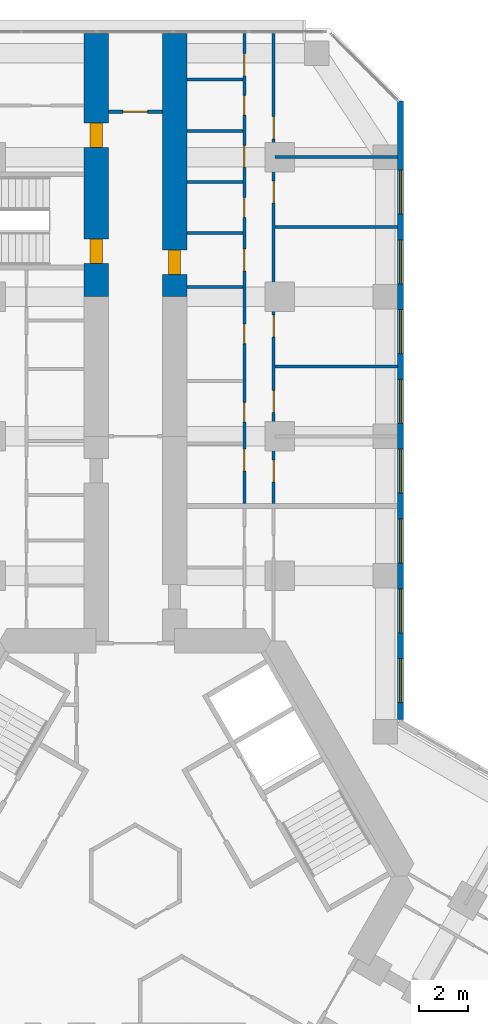
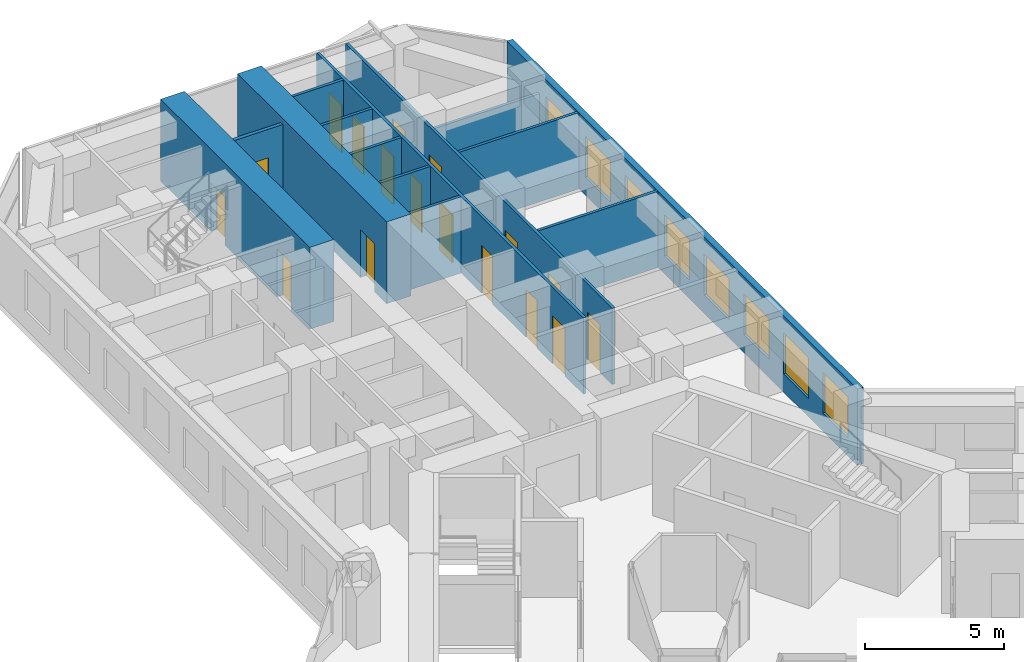
# One storey, part 19 of 21: 17 doors, 14 walls, 8 windows, 25 openings.
"""IFC4 building model written with IfcOpenShell, lengths in metres."""

from ifc_helpers import new_model, si_unit, direction, frame, frame_2d, origin, place, context, subcontext, project, spatial, rectangle, extrude, material, layer, layer_set, type_object, element, fill, save


model = new_model("IFC4")

# Units and contexts
model_context = context("Model", 3, precision=1e-05, world=origin(), true_north=direction((0.0, 1.0)))
body_context = subcontext(model_context, "Body", "Model", "MODEL_VIEW")
ifc_project = project(units=[si_unit("LENGTHUNIT", "METRE"), si_unit("AREAUNIT", "SQUARE_METRE"), si_unit("VOLUMEUNIT", "CUBIC_METRE"), si_unit("PLANEANGLEUNIT", "RADIAN"), si_unit("MASSUNIT", "GRAM", prefix="KILO")], contexts=[model_context])

# Site, building, storey
site_placement = place(None, origin())
site = spatial("IfcSite", under=ifc_project, at=site_placement, CompositionType="ELEMENT")
building_placement = place(site_placement, origin())
building = spatial("IfcBuilding", under=site, at=building_placement, Name="Kosmar Iwan School Tower", CompositionType="ELEMENT")
storey_placement = place(building_placement, frame((0.0, 0.0, 57.39990234375)))
storey = spatial("IfcBuildingStorey", under=building, at=storey_placement, Name="L13", CompositionType="ELEMENT", Elevation=57.39990234375)

# Wall, openings, doors
ifc_material_1 = material(Name="Concrete C50/60", Category="concrete")
ifc_layer_1 = layer(ifc_material_1, 1.0)
ifc_layer_set_1 = layer_set([ifc_layer_1], Name="Corridor buttress wall 1000")
wall_type_1 = type_object("IfcWallType", Name="Corridor buttress wall 1000", PredefinedType="SHEAR", material=ifc_layer_set_1)
wall_1_placement = place(storey_placement, frame((-1.60009765625, 23.64990234375, 0.0), z_axis=(0.0, 0.0, 1.0), x_axis=(0.0, 1.0, 0.0)))
wall_1 = element("IfcWall", 1, at=wall_1_placement, inside=storey, type_object=wall_type_1, Name="Corridor wall AL bay 3", PredefinedType="SHEAR", context=body_context, shape_type="SweptSolid", body=[
    extrude(rectangle(XDim=10.7451171875, YDim=1.0, at=frame_2d((5.37255859375, 0.0))), origin(), (0.0, 0.0, 1.0), 3.60009765625),
])
opening_1_placement = place(wall_1_placement, frame((6.10009765625, 0.0, 0.0)))
opening_1 = element("IfcOpeningElement", 2, at=opening_1_placement, cuts=wall_1, Name="Opening D1", PredefinedType="OPENING", context=body_context, shape_type="SweptSolid", body=[
    extrude(rectangle(XDim=1.0, YDim=2.10009765625, at=frame_2d((0.5, 1.050048828125))), frame((0.0, 0.511962890625, 0.0), z_axis=(0.0, -1.0, 0.0), x_axis=(1.0, 0.0, 0.0)), (0.0, 0.0, 1.0), 1.02392578125),
])
opening_2_placement = place(wall_1_placement, frame((1.35009765625, 0.0, 0.0)))
opening_2 = element("IfcOpeningElement", 3, at=opening_2_placement, cuts=wall_1, Name="Opening D6", PredefinedType="OPENING", context=body_context, shape_type="SweptSolid", body=[
    extrude(rectangle(XDim=1.0, YDim=2.10009765625, at=frame_2d((0.5, 1.050048828125))), frame((0.0, 0.511962890625, 0.0), z_axis=(0.0, -1.0, 0.0), x_axis=(1.0, 0.0, 0.0)), (0.0, 0.0, 1.0), 1.02392578125),
])
ifc_material_2 = material(Name="Timber fire door in steel frame", Category="steel")
door_type_1 = type_object("IfcDoorType", Name="Flat entrance door 1000x2100", OperationType="SINGLE_SWING_LEFT", PredefinedType="DOOR", material=ifc_material_2)
door_1_placement = place(opening_1_placement, origin())
door_1 = element("IfcDoor", 4, at=door_1_placement, inside=storey, type_object=door_type_1, Name="Flat L13-AL2 entrance door", OperationType="SINGLE_SWING_RIGHT", OverallHeight=2.10009765625, OverallWidth=1.0, PredefinedType="DOOR", context=body_context, shape_type="SweptSolid", body=[
    extrude(rectangle(XDim=1.0, YDim=2.10009765625, at=frame_2d((0.5, 1.050048828125))), frame((0.0, 0.25, 0.0), z_axis=(0.0, -1.0, 0.0), x_axis=(1.0, 0.0, 0.0)), (0.0, 0.0, 1.0), 0.5),
])
fill(opening_1, door_1)
ifc_material_3 = material(Name="Steel fire door", Category="steel")
door_type_2 = type_object("IfcDoorType", Name="Stair door 1000x2100", OperationType="SINGLE_SWING_LEFT", PredefinedType="DOOR", material=ifc_material_3)
door_2_placement = place(opening_2_placement, origin())
door_2 = element("IfcDoor", 5, at=door_2_placement, inside=storey, type_object=door_type_2, Name="Stair WS1 door L13", OperationType="SINGLE_SWING_LEFT", OverallHeight=2.10009765625, OverallWidth=1.0, PredefinedType="DOOR", context=body_context, shape_type="SweptSolid", body=[
    extrude(rectangle(XDim=1.0, YDim=2.10009765625, at=frame_2d((0.5, 1.050048828125))), frame((0.0, 0.25, 0.0), z_axis=(0.0, -1.0, 0.0), x_axis=(1.0, 0.0, 0.0)), (0.0, 0.0, 1.0), 0.5),
])
fill(opening_2, door_2)

# Wall, opening, door
wall_2_placement = place(storey_placement, frame((1.60009765625, 23.64990234375, 0.0), z_axis=(0.0, 0.0, 1.0), x_axis=(0.0, 1.0, 0.0)))
wall_2 = element("IfcWall", 6, at=wall_2_placement, inside=storey, type_object=wall_type_1, Name="Corridor wall AR bay 3", PredefinedType="SHEAR", context=body_context, shape_type="SweptSolid", body=[
    extrude(rectangle(XDim=10.7451171875, YDim=1.0, at=frame_2d((5.37255859375, 0.0))), origin(), (0.0, 0.0, 1.0), 3.60009765625),
])
opening_3_placement = place(wall_2_placement, frame((0.89990234375, 0.0, 0.0)))
opening_3 = element("IfcOpeningElement", 7, at=opening_3_placement, cuts=wall_2, Name="Opening D1", PredefinedType="OPENING", context=body_context, shape_type="SweptSolid", body=[
    extrude(rectangle(XDim=1.0, YDim=2.10009765625, at=frame_2d((0.5, 1.050048828125))), frame((0.0, 0.511962890625, 0.0), z_axis=(0.0, -1.0, 0.0), x_axis=(1.0, 0.0, 0.0)), (0.0, 0.0, 1.0), 1.02392578125),
])
door_3_placement = place(opening_3_placement, origin())
door_3 = element("IfcDoor", 8, at=door_3_placement, inside=storey, type_object=door_type_1, Name="Flat L13-AR2 entrance door", OperationType="SINGLE_SWING_LEFT", OverallHeight=2.10009765625, OverallWidth=1.0, PredefinedType="DOOR", context=body_context, shape_type="SweptSolid", body=[
    extrude(rectangle(XDim=1.0, YDim=2.10009765625, at=frame_2d((0.5, 1.050048828125))), frame((0.0, 0.25, 0.0), z_axis=(0.0, -1.0, 0.0), x_axis=(1.0, 0.0, 0.0)), (0.0, 0.0, 1.0), 0.5),
])
fill(opening_3, door_3)

ifc_material_4 = material(Name="Gypsum board on steel studs, fire-rated", Category="steel")
ifc_layer_2 = layer(ifc_material_4, 0.14990234375)
ifc_layer_set_2 = layer_set([ifc_layer_2], Name="Corridor end wall 150")
wall_type_2 = type_object("IfcWallType", Name="Corridor end wall 150", PredefinedType="PARTITIONING", material=ifc_layer_set_2)
wall_3_placement = place(storey_placement, frame((1.10009765625, 31.199951171875, 0.0), z_axis=(0.0, 0.0, 1.0), x_axis=(-1.0, 0.0, 0.0)))
wall_3 = element("IfcWall", 9, at=wall_3_placement, inside=storey, type_object=wall_type_2, Name="Partition L13-A-CE", PredefinedType="PARTITIONING", context=body_context, shape_type="SweptSolid", body=[
    extrude(rectangle(XDim=2.2001953125, YDim=0.14990234375, at=frame_2d((1.10009765625, 0.0))), origin(), (0.0, 0.0, 1.0), 3.35009765625),
])
opening_4_placement = place(wall_3_placement, frame((0.60009765625, 0.0, 0.0)))
opening_4 = element("IfcOpeningElement", 10, at=opening_4_placement, cuts=wall_3, Name="Opening D13", PredefinedType="OPENING", context=body_context, shape_type="SweptSolid", body=[
    extrude(rectangle(XDim=1.0, YDim=2.10009765625, at=frame_2d((0.5, 1.050048828125))), frame((0.0, 0.0869140625, 0.0), z_axis=(0.0, -1.0, 0.0), x_axis=(1.0, 0.0, 0.0)), (0.0, 0.0, 1.0), 0.173828125),
])
ifc_material_5 = material(Name="Timber fire door with vision panel", Category="wood")
door_type_3 = type_object("IfcDoorType", Name="Corridor end door 1000x2100", OperationType="SINGLE_SWING_LEFT", PredefinedType="DOOR", material=ifc_material_5)
door_4_placement = place(opening_4_placement, origin())
door_4 = element("IfcDoor", 11, at=door_4_placement, inside=storey, type_object=door_type_3, Name="Family study room door L13-A", OperationType="SINGLE_SWING_RIGHT", OverallHeight=2.10009765625, OverallWidth=1.0, PredefinedType="DOOR", context=body_context, shape_type="SweptSolid", body=[
    extrude(rectangle(XDim=1.0, YDim=2.10009765625, at=frame_2d((0.5, 1.050048828125))), frame((0.0, 0.02490234375, 0.0), z_axis=(0.0, -1.0, 0.0), x_axis=(1.0, 0.0, 0.0)), (0.0, 0.0, 1.0), 0.050048828125),
])
fill(opening_4, door_4)

# Wall, openings, doors
ifc_material_6 = material(Name="Gypsum board on steel studs", Category="steel")
ifc_layer_3 = layer(ifc_material_6, 0.1201171875)
ifc_layer_set_3 = layer_set([ifc_layer_3], Name="Dwelling partition 120")
wall_type_3 = type_object("IfcWallType", Name="Dwelling partition 120", PredefinedType="PARTITIONING", material=ifc_layer_set_3)
wall_4_placement = place(storey_placement, frame((4.449951171875, 15.199951171875, 0.0), z_axis=(0.0, 0.0, 1.0), x_axis=(0.0, 1.0, 0.0)))
wall_4 = element("IfcWall", 12, at=wall_4_placement, inside=storey, type_object=wall_type_3, Name="Partition L13-AR2-W1", PredefinedType="PARTITIONING", context=body_context, shape_type="SweptSolid", body=[
    extrude(rectangle(XDim=19.195068359375, YDim=0.1201171875, at=frame_2d((9.59765625, 0.0))), origin(), (0.0, 0.0, 1.0), 3.35009765625),
])
opening_5_placement = place(wall_4_placement, frame((1.32861328125, 0.0, 0.0)))
opening_5 = element("IfcOpeningElement", 13, at=opening_5_placement, cuts=wall_4, Name="Opening D2", PredefinedType="OPENING", context=body_context, shape_type="SweptSolid", body=[
    extrude(rectangle(XDim=0.89990234375, YDim=2.10009765625, at=frame_2d((0.449951171875, 1.050048828125))), frame((0.0, 0.072021484375, 0.0), z_axis=(0.0, -1.0, 0.0), x_axis=(1.0, 0.0, 0.0)), (0.0, 0.0, 1.0), 0.14404296875),
])
opening_6_placement = place(wall_4_placement, frame((3.335693359375, 0.0, 0.0)))
opening_6 = element("IfcOpeningElement", 14, at=opening_6_placement, cuts=wall_4, Name="Opening D3", PredefinedType="OPENING", context=body_context, shape_type="SweptSolid", body=[
    extrude(rectangle(XDim=0.800048828125, YDim=2.10009765625, at=frame_2d((0.39990234375, 1.050048828125))), frame((0.0, 0.072021484375, 0.0), z_axis=(0.0, -1.0, 0.0), x_axis=(1.0, 0.0, 0.0)), (0.0, 0.0, 1.0), 0.14404296875),
])
opening_7_placement = place(wall_4_placement, frame((6.5322265625, 0.0, 0.0)))
opening_7 = element("IfcOpeningElement", 15, at=opening_7_placement, cuts=wall_4, Name="Opening D3", PredefinedType="OPENING", context=body_context, shape_type="SweptSolid", body=[
    extrude(rectangle(XDim=0.800048828125, YDim=2.10009765625, at=frame_2d((0.39990234375, 1.050048828125))), frame((0.0, 0.072021484375, 0.0), z_axis=(0.0, -1.0, 0.0), x_axis=(1.0, 0.0, 0.0)), (0.0, 0.0, 1.0), 0.14404296875),
])
opening_8_placement = place(wall_4_placement, frame((9.5, 0.0, 0.0)))
opening_8 = element("IfcOpeningElement", 16, at=opening_8_placement, cuts=wall_4, Name="Opening D2", PredefinedType="OPENING", context=body_context, shape_type="SweptSolid", body=[
    extrude(rectangle(XDim=0.89990234375, YDim=2.10009765625, at=frame_2d((0.449951171875, 1.050048828125))), frame((0.0, 0.072021484375, 0.0), z_axis=(0.0, -1.0, 0.0), x_axis=(1.0, 0.0, 0.0)), (0.0, 0.0, 1.0), 0.14404296875),
])
opening_9_placement = place(wall_4_placement, frame((11.69384765625, 0.0, 0.0)))
opening_9 = element("IfcOpeningElement", 17, at=opening_9_placement, cuts=wall_4, Name="Opening D3", PredefinedType="OPENING", context=body_context, shape_type="SweptSolid", body=[
    extrude(rectangle(XDim=0.800048828125, YDim=2.10009765625, at=frame_2d((0.39990234375, 1.050048828125))), frame((0.0, 0.072021484375, 0.0), z_axis=(0.0, -1.0, 0.0), x_axis=(1.0, 0.0, 0.0)), (0.0, 0.0, 1.0), 0.14404296875),
])
opening_10_placement = place(wall_4_placement, frame((13.731201171875, 0.0, 0.0)))
opening_10 = element("IfcOpeningElement", 18, at=opening_10_placement, cuts=wall_4, Name="Opening D2", PredefinedType="OPENING", context=body_context, shape_type="SweptSolid", body=[
    extrude(rectangle(XDim=0.89990234375, YDim=2.10009765625, at=frame_2d((0.449951171875, 1.050048828125))), frame((0.0, 0.072021484375, 0.0), z_axis=(0.0, -1.0, 0.0), x_axis=(1.0, 0.0, 0.0)), (0.0, 0.0, 1.0), 0.14404296875),
])
opening_11_placement = place(wall_4_placement, frame((15.86865234375, 0.0, 0.0)))
opening_11 = element("IfcOpeningElement", 19, at=opening_11_placement, cuts=wall_4, Name="Opening D3", PredefinedType="OPENING", context=body_context, shape_type="SweptSolid", body=[
    extrude(rectangle(XDim=0.800048828125, YDim=2.10009765625, at=frame_2d((0.39990234375, 1.050048828125))), frame((0.0, 0.072021484375, 0.0), z_axis=(0.0, -1.0, 0.0), x_axis=(1.0, 0.0, 0.0)), (0.0, 0.0, 1.0), 0.14404296875),
])
opening_12_placement = place(wall_4_placement, frame((17.472412109375, 0.0, 0.0)))
opening_12 = element("IfcOpeningElement", 20, at=opening_12_placement, cuts=wall_4, Name="Opening D2", PredefinedType="OPENING", context=body_context, shape_type="SweptSolid", body=[
    extrude(rectangle(XDim=0.89990234375, YDim=2.10009765625, at=frame_2d((0.449951171875, 1.050048828125))), frame((0.0, 0.072021484375, 0.0), z_axis=(0.0, -1.0, 0.0), x_axis=(1.0, 0.0, 0.0)), (0.0, 0.0, 1.0), 0.14404296875),
])
ifc_material_7 = material(Name="Timber door in timber frame", Category="wood")
door_type_4 = type_object("IfcDoorType", Name="Internal door 900x2100", OperationType="SINGLE_SWING_LEFT", PredefinedType="DOOR", material=ifc_material_7)
door_5_placement = place(opening_5_placement, origin())
door_5 = element("IfcDoor", 21, at=door_5_placement, inside=storey, type_object=door_type_4, Name="Utility room door L13-AR2-S1", OperationType="SINGLE_SWING_RIGHT", OverallHeight=2.10009765625, OverallWidth=0.89990234375, PredefinedType="DOOR", context=body_context, shape_type="SweptSolid", body=[
    extrude(rectangle(XDim=0.89990234375, YDim=2.10009765625, at=frame_2d((0.449951171875, 1.050048828125))), frame((0.0, 0.02490234375, 0.0), z_axis=(0.0, -1.0, 0.0), x_axis=(1.0, 0.0, 0.0)), (0.0, 0.0, 1.0), 0.050048828125),
])
fill(opening_5, door_5)
door_6_placement = place(opening_8_placement, origin())
door_6 = element("IfcDoor", 22, at=door_6_placement, inside=storey, type_object=door_type_4, Name="Entrance hall door L13-AR2-S4", OperationType="SINGLE_SWING_LEFT", OverallHeight=2.10009765625, OverallWidth=0.89990234375, PredefinedType="DOOR", context=body_context, shape_type="SweptSolid", body=[
    extrude(rectangle(XDim=0.89990234375, YDim=2.10009765625, at=frame_2d((0.449951171875, 1.050048828125))), frame((0.0, 0.02490234375, 0.0), z_axis=(0.0, -1.0, 0.0), x_axis=(1.0, 0.0, 0.0)), (0.0, 0.0, 1.0), 0.050048828125),
])
fill(opening_8, door_6)
door_7_placement = place(opening_10_placement, origin())
door_7 = element("IfcDoor", 23, at=door_7_placement, inside=storey, type_object=door_type_4, Name="Pantry door L13-AR2-S6", OperationType="SINGLE_SWING_LEFT", OverallHeight=2.10009765625, OverallWidth=0.89990234375, PredefinedType="DOOR", context=body_context, shape_type="SweptSolid", body=[
    extrude(rectangle(XDim=0.89990234375, YDim=2.10009765625, at=frame_2d((0.449951171875, 1.050048828125))), frame((0.0, 0.02490234375, 0.0), z_axis=(0.0, -1.0, 0.0), x_axis=(1.0, 0.0, 0.0)), (0.0, 0.0, 1.0), 0.050048828125),
])
fill(opening_10, door_7)
door_8_placement = place(opening_12_placement, origin())
door_8 = element("IfcDoor", 24, at=door_8_placement, inside=storey, type_object=door_type_4, Name="Dressing room door L13-AR2-S8", OperationType="SINGLE_SWING_LEFT", OverallHeight=2.10009765625, OverallWidth=0.89990234375, PredefinedType="DOOR", context=body_context, shape_type="SweptSolid", body=[
    extrude(rectangle(XDim=0.89990234375, YDim=2.10009765625, at=frame_2d((0.449951171875, 1.050048828125))), frame((0.0, 0.02490234375, 0.0), z_axis=(0.0, -1.0, 0.0), x_axis=(1.0, 0.0, 0.0)), (0.0, 0.0, 1.0), 0.050048828125),
])
fill(opening_12, door_8)
ifc_material_8 = material(Name="Timber door in timber frame", Category="wood")
door_type_5 = type_object("IfcDoorType", Name="Sanitary room door 800x2100", OperationType="SINGLE_SWING_LEFT", PredefinedType="DOOR", material=ifc_material_8)
door_9_placement = place(opening_6_placement, origin())
door_9 = element("IfcDoor", 25, at=door_9_placement, inside=storey, type_object=door_type_5, Name="WC door L13-AR2-S2", OperationType="SINGLE_SWING_LEFT", OverallHeight=2.10009765625, OverallWidth=0.800048828125, PredefinedType="DOOR", context=body_context, shape_type="SweptSolid", body=[
    extrude(rectangle(XDim=0.800048828125, YDim=2.10009765625, at=frame_2d((0.39990234375, 1.050048828125))), frame((0.0, 0.02490234375, 0.0), z_axis=(0.0, -1.0, 0.0), x_axis=(1.0, 0.0, 0.0)), (0.0, 0.0, 1.0), 0.050048828125),
])
fill(opening_6, door_9)
door_10_placement = place(opening_7_placement, origin())
door_10 = element("IfcDoor", 26, at=door_10_placement, inside=storey, type_object=door_type_5, Name="Bathroom door L13-AR2-S3", OperationType="SINGLE_SWING_RIGHT", OverallHeight=2.10009765625, OverallWidth=0.800048828125, PredefinedType="DOOR", context=body_context, shape_type="SweptSolid", body=[
    extrude(rectangle(XDim=0.800048828125, YDim=2.10009765625, at=frame_2d((0.39990234375, 1.050048828125))), frame((0.0, 0.02490234375, 0.0), z_axis=(0.0, -1.0, 0.0), x_axis=(1.0, 0.0, 0.0)), (0.0, 0.0, 1.0), 0.050048828125),
])
fill(opening_7, door_10)
door_11_placement = place(opening_9_placement, origin())
door_11 = element("IfcDoor", 27, at=door_11_placement, inside=storey, type_object=door_type_5, Name="Shower room door L13-AR2-S5", OperationType="SINGLE_SWING_RIGHT", OverallHeight=2.10009765625, OverallWidth=0.800048828125, PredefinedType="DOOR", context=body_context, shape_type="SweptSolid", body=[
    extrude(rectangle(XDim=0.800048828125, YDim=2.10009765625, at=frame_2d((0.39990234375, 1.050048828125))), frame((0.0, 0.02490234375, 0.0), z_axis=(0.0, -1.0, 0.0), x_axis=(1.0, 0.0, 0.0)), (0.0, 0.0, 1.0), 0.050048828125),
])
fill(opening_9, door_11)
door_12_placement = place(opening_11_placement, origin())
door_12 = element("IfcDoor", 28, at=door_12_placement, inside=storey, type_object=door_type_5, Name="Store door L13-AR2-S7", OperationType="SINGLE_SWING_RIGHT", OverallHeight=2.10009765625, OverallWidth=0.800048828125, PredefinedType="DOOR", context=body_context, shape_type="SweptSolid", body=[
    extrude(rectangle(XDim=0.800048828125, YDim=2.10009765625, at=frame_2d((0.39990234375, 1.050048828125))), frame((0.0, 0.02490234375, 0.0), z_axis=(0.0, -1.0, 0.0), x_axis=(1.0, 0.0, 0.0)), (0.0, 0.0, 1.0), 0.050048828125),
])
fill(opening_11, door_12)

wall_5_placement = place(storey_placement, frame((5.64990234375, 15.199951171875, 0.0), z_axis=(0.0, 0.0, 1.0), x_axis=(0.0, 1.0, 0.0)))
wall_5 = element("IfcWall", 29, at=wall_5_placement, inside=storey, type_object=wall_type_3, Name="Partition L13-AR2-W2", PredefinedType="PARTITIONING", context=body_context, shape_type="SweptSolid", body=[
    extrude(rectangle(XDim=19.195068359375, YDim=0.1201171875, at=frame_2d((9.59765625, 0.0))), origin(), (0.0, 0.0, 1.0), 3.35009765625),
])
opening_13_placement = place(wall_5_placement, frame((0.875, 0.0, 0.0)))
opening_13 = element("IfcOpeningElement", 30, at=opening_13_placement, cuts=wall_5, Name="Opening D2", PredefinedType="OPENING", context=body_context, shape_type="SweptSolid", body=[
    extrude(rectangle(XDim=0.89990234375, YDim=2.10009765625, at=frame_2d((0.449951171875, 1.050048828125))), frame((0.0, 0.072021484375, 0.0), z_axis=(0.0, -1.0, 0.0), x_axis=(1.0, 0.0, 0.0)), (0.0, 0.0, 1.0), 0.14404296875),
])
opening_14_placement = place(wall_5_placement, frame((3.72509765625, 0.0, 0.0)))
opening_14 = element("IfcOpeningElement", 31, at=opening_14_placement, cuts=wall_5, Name="Opening D2", PredefinedType="OPENING", context=body_context, shape_type="SweptSolid", body=[
    extrude(rectangle(XDim=0.89990234375, YDim=2.10009765625, at=frame_2d((0.449951171875, 1.050048828125))), frame((0.0, 0.072021484375, 0.0), z_axis=(0.0, -1.0, 0.0), x_axis=(1.0, 0.0, 0.0)), (0.0, 0.0, 1.0), 0.14404296875),
])
opening_15_placement = place(wall_5_placement, frame((6.800048828125, 0.0, 0.0)))
opening_15 = element("IfcOpeningElement", 32, at=opening_15_placement, cuts=wall_5, Name="Opening D2", PredefinedType="OPENING", context=body_context, shape_type="SweptSolid", body=[
    extrude(rectangle(XDim=0.89990234375, YDim=2.10009765625, at=frame_2d((0.449951171875, 1.050048828125))), frame((0.0, 0.072021484375, 0.0), z_axis=(0.0, -1.0, 0.0), x_axis=(1.0, 0.0, 0.0)), (0.0, 0.0, 1.0), 0.14404296875),
])
opening_16_placement = place(wall_5_placement, frame((12.27490234375, 0.0, 0.0)))
opening_16 = element("IfcOpeningElement", 33, at=opening_16_placement, cuts=wall_5, Name="Opening D2", PredefinedType="OPENING", context=body_context, shape_type="SweptSolid", body=[
    extrude(rectangle(XDim=0.89990234375, YDim=2.10009765625, at=frame_2d((0.449951171875, 1.050048828125))), frame((0.0, 0.072021484375, 0.0), z_axis=(0.0, -1.0, 0.0), x_axis=(1.0, 0.0, 0.0)), (0.0, 0.0, 1.0), 0.14404296875),
])
opening_17_placement = place(wall_5_placement, frame((14.89990234375, 0.0, 0.0)))
opening_17 = element("IfcOpeningElement", 34, at=opening_17_placement, cuts=wall_5, Name="Opening D2", PredefinedType="OPENING", context=body_context, shape_type="SweptSolid", body=[
    extrude(rectangle(XDim=0.89990234375, YDim=2.10009765625, at=frame_2d((0.449951171875, 1.050048828125))), frame((0.0, 0.072021484375, 0.0), z_axis=(0.0, -1.0, 0.0), x_axis=(1.0, 0.0, 0.0)), (0.0, 0.0, 1.0), 0.14404296875),
])
door_13_placement = place(opening_13_placement, origin())
door_13 = element("IfcDoor", 35, at=door_13_placement, inside=storey, type_object=door_type_4, Name="Bedroom 1 door L13-AR2-F1", OperationType="SINGLE_SWING_LEFT", OverallHeight=2.10009765625, OverallWidth=0.89990234375, PredefinedType="DOOR", context=body_context, shape_type="SweptSolid", body=[
    extrude(rectangle(XDim=0.89990234375, YDim=2.10009765625, at=frame_2d((0.449951171875, 1.050048828125))), frame((0.0, 0.02490234375, 0.0), z_axis=(0.0, -1.0, 0.0), x_axis=(1.0, 0.0, 0.0)), (0.0, 0.0, 1.0), 0.050048828125),
])
fill(opening_13, door_13)
door_14_placement = place(opening_14_placement, origin())
door_14 = element("IfcDoor", 36, at=door_14_placement, inside=storey, type_object=door_type_4, Name="Bedroom 2 door L13-AR2-F2", OperationType="SINGLE_SWING_LEFT", OverallHeight=2.10009765625, OverallWidth=0.89990234375, PredefinedType="DOOR", context=body_context, shape_type="SweptSolid", body=[
    extrude(rectangle(XDim=0.89990234375, YDim=2.10009765625, at=frame_2d((0.449951171875, 1.050048828125))), frame((0.0, 0.02490234375, 0.0), z_axis=(0.0, -1.0, 0.0), x_axis=(1.0, 0.0, 0.0)), (0.0, 0.0, 1.0), 0.050048828125),
])
fill(opening_14, door_14)
door_15_placement = place(opening_15_placement, origin())
door_15 = element("IfcDoor", 37, at=door_15_placement, inside=storey, type_object=door_type_4, Name="Living room and kitchen door L13-AR2-F3", OperationType="SINGLE_SWING_LEFT", OverallHeight=2.10009765625, OverallWidth=0.89990234375, PredefinedType="DOOR", context=body_context, shape_type="SweptSolid", body=[
    extrude(rectangle(XDim=0.89990234375, YDim=2.10009765625, at=frame_2d((0.449951171875, 1.050048828125))), frame((0.0, 0.02490234375, 0.0), z_axis=(0.0, -1.0, 0.0), x_axis=(1.0, 0.0, 0.0)), (0.0, 0.0, 1.0), 0.050048828125),
])
fill(opening_15, door_15)
door_16_placement = place(opening_16_placement, origin())
door_16 = element("IfcDoor", 38, at=door_16_placement, inside=storey, type_object=door_type_4, Name="Study door L13-AR2-F4", OperationType="SINGLE_SWING_RIGHT", OverallHeight=2.10009765625, OverallWidth=0.89990234375, PredefinedType="DOOR", context=body_context, shape_type="SweptSolid", body=[
    extrude(rectangle(XDim=0.89990234375, YDim=2.10009765625, at=frame_2d((0.449951171875, 1.050048828125))), frame((0.0, 0.02490234375, 0.0), z_axis=(0.0, -1.0, 0.0), x_axis=(1.0, 0.0, 0.0)), (0.0, 0.0, 1.0), 0.050048828125),
])
fill(opening_16, door_16)
door_17_placement = place(opening_17_placement, origin())
door_17 = element("IfcDoor", 39, at=door_17_placement, inside=storey, type_object=door_type_4, Name="Bedroom 3 door L13-AR2-F5", OperationType="SINGLE_SWING_RIGHT", OverallHeight=2.10009765625, OverallWidth=0.89990234375, PredefinedType="DOOR", context=body_context, shape_type="SweptSolid", body=[
    extrude(rectangle(XDim=0.89990234375, YDim=2.10009765625, at=frame_2d((0.449951171875, 1.050048828125))), frame((0.0, 0.02490234375, 0.0), z_axis=(0.0, -1.0, 0.0), x_axis=(1.0, 0.0, 0.0)), (0.0, 0.0, 1.0), 0.050048828125),
])
fill(opening_17, door_17)

# Walls
for number, where, z_axis, x_axis, name in (
    (40, (5.7099609375, 20.800048828125, 0.0), (0.0, 0.0, 1.0), (1.0, 0.0, 0.0), "Partition L13-AR2-X2"),
    (41, (5.7099609375, 26.5, 0.0), (0.0, 0.0, 1.0), (1.0, 0.0, 0.0), "Partition L13-AR2-X3"),
):
    element("IfcWall", number, at=place(storey_placement, frame(where, z_axis=z_axis, x_axis=x_axis)), inside=storey, type_object=wall_type_3, Name=name, PredefinedType="PARTITIONING", context=body_context, shape_type="SweptSolid", body=[
        extrude(rectangle(XDim=4.989990234375, YDim=0.1201171875, at=frame_2d((2.4951171875, 0.0))), origin(), (0.0, 0.0, 1.0), 3.35009765625),
    ])
wall_6_placement = place(storey_placement, frame((5.7099609375, 29.35009765625, 0.0), z_axis=(0.0, 0.0, 1.0), x_axis=(1.0, 0.0, 0.0)))
element("IfcWall", 42, at=wall_6_placement, inside=storey, type_object=wall_type_3, Name="Partition L13-AR2-X4", PredefinedType="PARTITIONING", context=body_context, shape_type="SweptSolid", body=[
    extrude(rectangle(XDim=4.989990234375, YDim=0.1201171875, at=frame_2d((2.4951171875, 0.0))), origin(), (0.0, 0.0, 1.0), 2.4501953125),
])
for number, where, z_axis, x_axis, name in (
    (43, (2.10009765625, 24.050048828125, 0.0), (0.0, 0.0, 1.0), (1.0, 0.0, 0.0), "Partition L13-AR2-Y3"),
    (44, (2.10009765625, 26.25, 0.0), (0.0, 0.0, 1.0), (1.0, 0.0, 0.0), "Partition L13-AR2-Y4"),
    (45, (2.10009765625, 28.33740234375, 0.0), (0.0, 0.0, 1.0), (1.0, 0.0, 0.0), "Partition L13-AR2-Y5"),
    (46, (2.10009765625, 30.425048828125, 0.0), (0.0, 0.0, 1.0), (1.0, 0.0, 0.0), "Partition L13-AR2-Y6"),
    (47, (2.10009765625, 32.512451171875, 0.0), (0.0, 0.0, 1.0), (1.0, 0.0, 0.0), "Partition L13-AR2-Y7"),
):
    element("IfcWall", number, at=place(storey_placement, frame(where, z_axis=z_axis, x_axis=x_axis)), inside=storey, type_object=wall_type_3, Name=name, PredefinedType="PARTITIONING", context=body_context, shape_type="SweptSolid", body=[
        extrude(rectangle(XDim=2.289794921875, YDim=0.1201171875, at=frame_2d((1.14501953125, 0.0))), origin(), (0.0, 0.0, 1.0), 3.35009765625),
    ])

# Wall, openings, windows
ifc_material_9 = material(Name="Black aluminium rainscreen on insulated framing", Category="aluminium")
ifc_layer_4 = layer(ifc_material_9, 0.25)
ifc_layer_set_4 = layer_set([ifc_layer_4], Name="External wall rainscreen 250")
wall_type_4 = type_object("IfcWallType", Name="External wall rainscreen 250", PredefinedType="SOLIDWALL", material=ifc_layer_set_4)
wall_7_placement = place(storey_placement, frame((10.824951171875, 6.39404296875, 0.0), z_axis=(0.0, 0.0, 1.0), x_axis=(0.0, 1.0, 0.0)))
wall_7 = element("IfcWall", 48, at=wall_7_placement, inside=storey, type_object=wall_type_4, Name="External wall AR L13", PredefinedType="SOLIDWALL", context=body_context, shape_type="SweptSolid", body=[
    extrude(rectangle(XDim=25.2412109375, YDim=0.25, at=frame_2d((12.62060546875, 0.0))), origin(), (0.0, 0.0, 1.0), 3.35009765625),
])
opening_18_placement = place(wall_7_placement, frame((0.680908203125, 0.0, 0.800048828125)))
opening_18 = element("IfcOpeningElement", 49, at=opening_18_placement, cuts=wall_7, Name="Opening W1", PredefinedType="OPENING", context=body_context, shape_type="SweptSolid", body=[
    extrude(rectangle(XDim=1.800048828125, YDim=1.800048828125, at=frame_2d((0.89990234375, 0.89990234375))), frame((0.0, 0.136962890625, 0.0), z_axis=(0.0, -1.0, 0.0), x_axis=(1.0, 0.0, 0.0)), (0.0, 0.0, 1.0), 0.27392578125),
])
opening_19_placement = place(wall_7_placement, frame((3.53076171875, 0.0, 0.800048828125)))
opening_19 = element("IfcOpeningElement", 50, at=opening_19_placement, cuts=wall_7, Name="Opening W1", PredefinedType="OPENING", context=body_context, shape_type="SweptSolid", body=[
    extrude(rectangle(XDim=1.800048828125, YDim=1.800048828125, at=frame_2d((0.89990234375, 0.89990234375))), frame((0.0, 0.136962890625, 0.0), z_axis=(0.0, -1.0, 0.0), x_axis=(1.0, 0.0, 0.0)), (0.0, 0.0, 1.0), 0.27392578125),
])
opening_20_placement = place(wall_7_placement, frame((6.380859375, 0.0, 0.800048828125)))
opening_20 = element("IfcOpeningElement", 51, at=opening_20_placement, cuts=wall_7, Name="Opening W1", PredefinedType="OPENING", context=body_context, shape_type="SweptSolid", body=[
    extrude(rectangle(XDim=1.800048828125, YDim=1.800048828125, at=frame_2d((0.89990234375, 0.89990234375))), frame((0.0, 0.136962890625, 0.0), z_axis=(0.0, -1.0, 0.0), x_axis=(1.0, 0.0, 0.0)), (0.0, 0.0, 1.0), 0.27392578125),
])
opening_21_placement = place(wall_7_placement, frame((9.23095703125, 0.0, 0.800048828125)))
opening_21 = element("IfcOpeningElement", 52, at=opening_21_placement, cuts=wall_7, Name="Opening W1", PredefinedType="OPENING", context=body_context, shape_type="SweptSolid", body=[
    extrude(rectangle(XDim=1.800048828125, YDim=1.800048828125, at=frame_2d((0.89990234375, 0.89990234375))), frame((0.0, 0.136962890625, 0.0), z_axis=(0.0, -1.0, 0.0), x_axis=(1.0, 0.0, 0.0)), (0.0, 0.0, 1.0), 0.27392578125),
])
opening_22_placement = place(wall_7_placement, frame((12.080810546875, 0.0, 0.800048828125)))
opening_22 = element("IfcOpeningElement", 53, at=opening_22_placement, cuts=wall_7, Name="Opening W1", PredefinedType="OPENING", context=body_context, shape_type="SweptSolid", body=[
    extrude(rectangle(XDim=1.800048828125, YDim=1.800048828125, at=frame_2d((0.89990234375, 0.89990234375))), frame((0.0, 0.136962890625, 0.0), z_axis=(0.0, -1.0, 0.0), x_axis=(1.0, 0.0, 0.0)), (0.0, 0.0, 1.0), 0.27392578125),
])
opening_23_placement = place(wall_7_placement, frame((14.930908203125, 0.0, 0.800048828125)))
opening_23 = element("IfcOpeningElement", 54, at=opening_23_placement, cuts=wall_7, Name="Opening W1", PredefinedType="OPENING", context=body_context, shape_type="SweptSolid", body=[
    extrude(rectangle(XDim=1.800048828125, YDim=1.800048828125, at=frame_2d((0.89990234375, 0.89990234375))), frame((0.0, 0.136962890625, 0.0), z_axis=(0.0, -1.0, 0.0), x_axis=(1.0, 0.0, 0.0)), (0.0, 0.0, 1.0), 0.27392578125),
])
opening_24_placement = place(wall_7_placement, frame((17.78076171875, 0.0, 0.800048828125)))
opening_24 = element("IfcOpeningElement", 55, at=opening_24_placement, cuts=wall_7, Name="Opening W1", PredefinedType="OPENING", context=body_context, shape_type="SweptSolid", body=[
    extrude(rectangle(XDim=1.800048828125, YDim=1.800048828125, at=frame_2d((0.89990234375, 0.89990234375))), frame((0.0, 0.136962890625, 0.0), z_axis=(0.0, -1.0, 0.0), x_axis=(1.0, 0.0, 0.0)), (0.0, 0.0, 1.0), 0.27392578125),
])
opening_25_placement = place(wall_7_placement, frame((20.630859375, 0.0, 0.800048828125)))
opening_25 = element("IfcOpeningElement", 56, at=opening_25_placement, cuts=wall_7, Name="Opening W1", PredefinedType="OPENING", context=body_context, shape_type="SweptSolid", body=[
    extrude(rectangle(XDim=1.800048828125, YDim=1.800048828125, at=frame_2d((0.89990234375, 0.89990234375))), frame((0.0, 0.136962890625, 0.0), z_axis=(0.0, -1.0, 0.0), x_axis=(1.0, 0.0, 0.0)), (0.0, 0.0, 1.0), 0.27392578125),
])
ifc_material_10 = material(Name="Black aluminium frame with dark triple glazing", Category="aluminium")
window_type = type_object("IfcWindowType", Name="Window 1800x1800", PartitioningType="SINGLE_PANEL", PredefinedType="WINDOW", material=ifc_material_10)
window_1_placement = place(opening_18_placement, origin())
window_1 = element("IfcWindow", 57, at=window_1_placement, inside=storey, type_object=window_type, Name="Window AR L13 -1", OverallHeight=1.800048828125, OverallWidth=1.800048828125, PartitioningType="SINGLE_PANEL", PredefinedType="WINDOW", context=body_context, shape_type="SweptSolid", body=[
    extrude(rectangle(XDim=1.800048828125, YDim=1.800048828125, at=frame_2d((0.89990234375, 0.89990234375))), frame((0.0, 0.030029296875, 0.0), z_axis=(0.0, -1.0, 0.0), x_axis=(1.0, 0.0, 0.0)), (0.0, 0.0, 1.0), 0.06005859375),
])
fill(opening_18, window_1)
window_2_placement = place(opening_19_placement, origin())
window_2 = element("IfcWindow", 58, at=window_2_placement, inside=storey, type_object=window_type, Name="Window AR L13 0", OverallHeight=1.800048828125, OverallWidth=1.800048828125, PartitioningType="SINGLE_PANEL", PredefinedType="WINDOW", context=body_context, shape_type="SweptSolid", body=[
    extrude(rectangle(XDim=1.800048828125, YDim=1.800048828125, at=frame_2d((0.89990234375, 0.89990234375))), frame((0.0, 0.030029296875, 0.0), z_axis=(0.0, -1.0, 0.0), x_axis=(1.0, 0.0, 0.0)), (0.0, 0.0, 1.0), 0.06005859375),
])
fill(opening_19, window_2)
window_3_placement = place(opening_20_placement, origin())
window_3 = element("IfcWindow", 59, at=window_3_placement, inside=storey, type_object=window_type, Name="Window AR L13 1", OverallHeight=1.800048828125, OverallWidth=1.800048828125, PartitioningType="SINGLE_PANEL", PredefinedType="WINDOW", context=body_context, shape_type="SweptSolid", body=[
    extrude(rectangle(XDim=1.800048828125, YDim=1.800048828125, at=frame_2d((0.89990234375, 0.89990234375))), frame((0.0, 0.030029296875, 0.0), z_axis=(0.0, -1.0, 0.0), x_axis=(1.0, 0.0, 0.0)), (0.0, 0.0, 1.0), 0.06005859375),
])
fill(opening_20, window_3)
window_4_placement = place(opening_21_placement, origin())
window_4 = element("IfcWindow", 60, at=window_4_placement, inside=storey, type_object=window_type, Name="Window AR L13 2", OverallHeight=1.800048828125, OverallWidth=1.800048828125, PartitioningType="SINGLE_PANEL", PredefinedType="WINDOW", context=body_context, shape_type="SweptSolid", body=[
    extrude(rectangle(XDim=1.800048828125, YDim=1.800048828125, at=frame_2d((0.89990234375, 0.89990234375))), frame((0.0, 0.030029296875, 0.0), z_axis=(0.0, -1.0, 0.0), x_axis=(1.0, 0.0, 0.0)), (0.0, 0.0, 1.0), 0.06005859375),
])
fill(opening_21, window_4)
window_5_placement = place(opening_22_placement, origin())
window_5 = element("IfcWindow", 61, at=window_5_placement, inside=storey, type_object=window_type, Name="Window AR L13 3", OverallHeight=1.800048828125, OverallWidth=1.800048828125, PartitioningType="SINGLE_PANEL", PredefinedType="WINDOW", context=body_context, shape_type="SweptSolid", body=[
    extrude(rectangle(XDim=1.800048828125, YDim=1.800048828125, at=frame_2d((0.89990234375, 0.89990234375))), frame((0.0, 0.030029296875, 0.0), z_axis=(0.0, -1.0, 0.0), x_axis=(1.0, 0.0, 0.0)), (0.0, 0.0, 1.0), 0.06005859375),
])
fill(opening_22, window_5)
window_6_placement = place(opening_23_placement, origin())
window_6 = element("IfcWindow", 62, at=window_6_placement, inside=storey, type_object=window_type, Name="Window AR L13 4", OverallHeight=1.800048828125, OverallWidth=1.800048828125, PartitioningType="SINGLE_PANEL", PredefinedType="WINDOW", context=body_context, shape_type="SweptSolid", body=[
    extrude(rectangle(XDim=1.800048828125, YDim=1.800048828125, at=frame_2d((0.89990234375, 0.89990234375))), frame((0.0, 0.030029296875, 0.0), z_axis=(0.0, -1.0, 0.0), x_axis=(1.0, 0.0, 0.0)), (0.0, 0.0, 1.0), 0.06005859375),
])
fill(opening_23, window_6)
window_7_placement = place(opening_24_placement, origin())
window_7 = element("IfcWindow", 63, at=window_7_placement, inside=storey, type_object=window_type, Name="Window AR L13 5", OverallHeight=1.800048828125, OverallWidth=1.800048828125, PartitioningType="SINGLE_PANEL", PredefinedType="WINDOW", context=body_context, shape_type="SweptSolid", body=[
    extrude(rectangle(XDim=1.800048828125, YDim=1.800048828125, at=frame_2d((0.89990234375, 0.89990234375))), frame((0.0, 0.030029296875, 0.0), z_axis=(0.0, -1.0, 0.0), x_axis=(1.0, 0.0, 0.0)), (0.0, 0.0, 1.0), 0.06005859375),
])
fill(opening_24, window_7)
window_8_placement = place(opening_25_placement, origin())
window_8 = element("IfcWindow", 64, at=window_8_placement, inside=storey, type_object=window_type, Name="Window AR L13 6", OverallHeight=1.800048828125, OverallWidth=1.800048828125, PartitioningType="SINGLE_PANEL", PredefinedType="WINDOW", context=body_context, shape_type="SweptSolid", body=[
    extrude(rectangle(XDim=1.800048828125, YDim=1.800048828125, at=frame_2d((0.89990234375, 0.89990234375))), frame((0.0, 0.030029296875, 0.0), z_axis=(0.0, -1.0, 0.0), x_axis=(1.0, 0.0, 0.0)), (0.0, 0.0, 1.0), 0.06005859375),
])
fill(opening_25, window_8)

save(model, "model.ifc")
